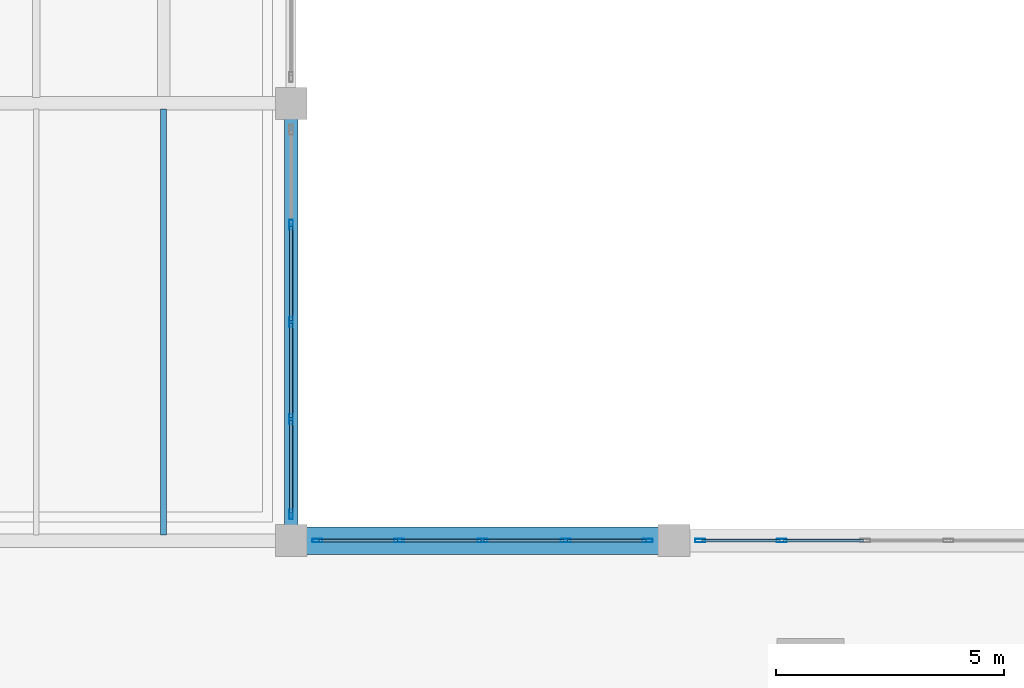
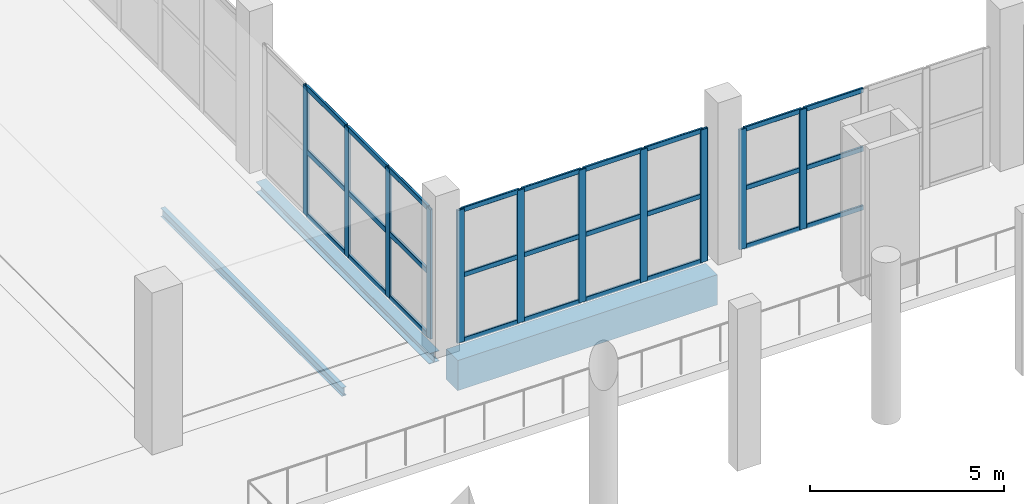
# One storey, part 10 of 66: 38 members, 3 beams, 3 elements without a shape of their own.
"""IFC4 building model written with IfcOpenShell, lengths in metres."""

from ifc_helpers import new_model, si_unit, direction, frame, origin, origin_2d, place, context, subcontext, project, spatial, rectangle, hollow_rectangle, i_section, extrude, material, layer, layer_set, material_profile, profile_set, type_object, element, aggregate, save


model = new_model("IFC4")

# Units and contexts
model_context = context("Model", 3, precision=1e-05, world=origin(), true_north=direction((0.0, 1.0)))
body_context = subcontext(model_context, "Body", "Model", "MODEL_VIEW")
ifc_project = project(units=[si_unit("LENGTHUNIT", "METRE"), si_unit("AREAUNIT", "SQUARE_METRE"), si_unit("VOLUMEUNIT", "CUBIC_METRE"), si_unit("PLANEANGLEUNIT", "RADIAN"), si_unit("MASSUNIT", "GRAM", prefix="KILO")], contexts=[model_context])

# Site, building, storey
site_placement = place(None, origin())
site = spatial("IfcSite", under=ifc_project, at=site_placement, CompositionType="ELEMENT")
building_placement = place(site_placement, origin())
building = spatial("IfcBuilding", under=site, at=building_placement, Name="Zulmaris Art Gallery", CompositionType="ELEMENT")
storey_placement = place(building_placement, frame((0.0, 0.0, 5.39990234375)))
storey = spatial("IfcBuildingStorey", under=building, at=storey_placement, Name="L01", CompositionType="ELEMENT", Elevation=5.39990234375)

# Beams
ifc_material_1 = material(Name="Steel S355J2", Category="steel")
ifc_material_profile_1 = material_profile(ifc_material_1, i_section(OverallWidth=0.300048828125, OverallDepth=0.330078125, WebThickness=0.009521484375, FlangeThickness=0.0166015625, FilletRadius=0.027099609375, at=origin_2d()), Name="HEA 340")
ifc_profile_set_1 = profile_set([ifc_material_profile_1], Name="Steel S355J2")
beam_type_1 = type_object("IfcBeamType", Name="BEAM-BM08", PredefinedType="BEAM", material=ifc_profile_set_1)
beam_1_placement = place(storey_placement, frame((91.199951171875, 21.93505859375, -0.494873046875), z_axis=(0.0, 1.0, 0.0), x_axis=(-1.0, 0.0, 0.0)))
element("IfcBeam", 1, at=beam_1_placement, inside=storey, type_object=beam_type_1, Name="L01 Y-girder (x=91.2, 21.6..31.2)", PredefinedType="BEAM", context=body_context, shape_type="SweptSolid", body=[
    extrude(i_section(OverallWidth=0.300048828125, OverallDepth=0.330078125, WebThickness=0.009521484375, FlangeThickness=0.0166015625, FilletRadius=0.027099609375, at=origin_2d()), origin(), (0.0, 0.0, 1.0), 8.929931640625),
])
ifc_material_2 = material(Name="Concrete C40/50", Category="concrete")
ifc_material_profile_2 = material_profile(ifc_material_2, rectangle(XDim=0.60009765625, YDim=0.949951171875, at=origin_2d()), Name="RC 600x950")
ifc_profile_set_2 = profile_set([ifc_material_profile_2], Name="Concrete C40/50")
beam_type_2 = type_object("IfcBeamType", Name="BEAM-BM22", PredefinedType="BEAM", material=ifc_profile_set_2)
beam_2_placement = place(storey_placement, frame((91.534912109375, 21.60009765625, -0.804931640625), z_axis=(1.0, 0.0, 0.0), x_axis=(0.0, 1.0, 0.0)))
element("IfcBeam", 2, at=beam_2_placement, inside=storey, type_object=beam_type_2, Name="L01 X-girder (91.2..99.6, y=21.6)", PredefinedType="BEAM", context=body_context, shape_type="SweptSolid", body=[
    extrude(rectangle(XDim=0.60009765625, YDim=0.949951171875, at=origin_2d()), origin(), (0.0, 0.0, 1.0), 7.72998046875),
])
ifc_material_profile_3 = material_profile(ifc_material_1, i_section(OverallWidth=0.135009765625, OverallDepth=0.27001953125, WebThickness=0.006591796875, FlangeThickness=0.01025390625, FilletRadius=0.014892578125, at=origin_2d()), Name="IPE 270")
ifc_profile_set_3 = profile_set([ifc_material_profile_3], Name="Steel S355J2")
beam_type_3 = type_object("IfcBeamType", Name="BEAM-JS02", PredefinedType="JOIST", material=ifc_profile_set_3)
beam_3_placement = place(storey_placement, frame((88.39990234375, 21.72509765625, -0.46484375), z_axis=(0.0, 1.0, 0.0), x_axis=(-1.0, 0.0, 0.0)))
element("IfcBeam", 3, at=beam_3_placement, inside=storey, type_object=beam_type_3, Name="L01 secondary joist at x=88.4", PredefinedType="JOIST", context=body_context, shape_type="SweptSolid", body=[
    extrude(i_section(OverallWidth=0.135009765625, OverallDepth=0.27001953125, WebThickness=0.006591796875, FlangeThickness=0.01025390625, FilletRadius=0.014892578125, at=origin_2d()), origin(), (0.0, 0.0, 1.0), 9.349853515625),
])

# Curtain wall, members
ifc_material_3 = material(Name="Cloister & Court Glazed Curtain Wall", Category="aluminium")
ifc_layer = layer(ifc_material_3, 0.179931640625)
ifc_layer_set = layer_set([ifc_layer], Name="Cloister & Court Glazed Curtain Wall")
curtain_wall_type = type_object("IfcCurtainWallType", Name="CW-CW03", PredefinedType="NOTDEFINED", material=ifc_layer_set)
curtain_wall_1_placement = place(storey_placement, origin())
curtain_wall_1 = element("IfcCurtainWall", 4, at=curtain_wall_1_placement, inside=storey, type_object=curtain_wall_type, Name="L01 curtain wall 71", PredefinedType="NOTDEFINED")
ifc_material_4 = material(Name="Anodised Bronze Aluminium", Category="aluminium")
ifc_material_profile_4 = material_profile(ifc_material_4, hollow_rectangle(XDim=0.074951171875, YDim=0.219970703125, WallThickness=0.0048828125, InnerFilletRadius=0.007568359375, OuterFilletRadius=0.012451171875, at=origin_2d()), Name="ALU 75x220x5")
ifc_profile_set_4 = profile_set([ifc_material_profile_4], Name="Anodised Bronze Aluminium")
member_type_1 = type_object("IfcMemberType", Name="CWMUL-02", PredefinedType="MULLION", material=ifc_profile_set_4)
member_1_placement = place(storey_placement, frame((91.199951171875, 28.530029296875, 0.0), z_axis=(0.0, 0.0, 1.0), x_axis=(1.0, 0.0, 0.0)))
member_1 = element("IfcMember", 5, at=member_1_placement, type_object=member_type_1, Name="CW03 mullion 2", PredefinedType="MULLION", context=body_context, shape_type="SweptSolid", body=[
    extrude(hollow_rectangle(XDim=0.074951171875, YDim=0.219970703125, WallThickness=0.0048828125, InnerFilletRadius=0.007568359375, OuterFilletRadius=0.012451171875, at=origin_2d()), origin(), (0.0, 0.0, 1.0), 4.070068359375),
])
member_2_placement = place(storey_placement, frame((91.199951171875, 26.39990234375, 0.0), z_axis=(0.0, 0.0, 1.0), x_axis=(1.0, 0.0, 0.0)))
member_2 = element("IfcMember", 6, at=member_2_placement, type_object=member_type_1, Name="CW03 mullion 3", PredefinedType="MULLION", context=body_context, shape_type="SweptSolid", body=[
    extrude(hollow_rectangle(XDim=0.074951171875, YDim=0.219970703125, WallThickness=0.0048828125, InnerFilletRadius=0.007568359375, OuterFilletRadius=0.012451171875, at=origin_2d()), origin(), (0.0, 0.0, 1.0), 4.070068359375),
])
member_3_placement = place(storey_placement, frame((91.199951171875, 24.27001953125, 0.0), z_axis=(0.0, 0.0, 1.0), x_axis=(1.0, 0.0, 0.0)))
member_3 = element("IfcMember", 7, at=member_3_placement, type_object=member_type_1, Name="CW03 mullion 4", PredefinedType="MULLION", context=body_context, shape_type="SweptSolid", body=[
    extrude(hollow_rectangle(XDim=0.074951171875, YDim=0.219970703125, WallThickness=0.0048828125, InnerFilletRadius=0.007568359375, OuterFilletRadius=0.012451171875, at=origin_2d()), origin(), (0.0, 0.0, 1.0), 4.070068359375),
])
member_4_placement = place(storey_placement, frame((91.199951171875, 22.177490234375, 0.0), z_axis=(0.0, 0.0, 1.0), x_axis=(1.0, 0.0, 0.0)))
member_4 = element("IfcMember", 8, at=member_4_placement, type_object=member_type_1, Name="CW03 mullion 5", PredefinedType="MULLION", context=body_context, shape_type="SweptSolid", body=[
    extrude(hollow_rectangle(XDim=0.074951171875, YDim=0.219970703125, WallThickness=0.0048828125, InnerFilletRadius=0.007568359375, OuterFilletRadius=0.012451171875, at=origin_2d()), origin(), (0.0, 0.0, 1.0), 4.070068359375),
])

curtain_wall_2_placement = place(storey_placement, origin())
curtain_wall_2 = element("IfcCurtainWall", 9, at=curtain_wall_2_placement, inside=storey, type_object=curtain_wall_type, Name="L01 curtain wall 189", PredefinedType="NOTDEFINED")
member_5_placement = place(storey_placement, frame((91.777587890625, 21.60009765625, 0.0), z_axis=(0.0, 0.0, 1.0), x_axis=(0.0, 1.0, 0.0)))
member_5 = element("IfcMember", 10, at=member_5_placement, type_object=member_type_1, Name="CW03 mullion 1", PredefinedType="MULLION", context=body_context, shape_type="SweptSolid", body=[
    extrude(hollow_rectangle(XDim=0.074951171875, YDim=0.219970703125, WallThickness=0.0048828125, InnerFilletRadius=0.007568359375, OuterFilletRadius=0.012451171875, at=origin_2d()), origin(), (0.0, 0.0, 1.0), 4.175048828125),
])
member_6_placement = place(storey_placement, frame((93.570068359375, 21.60009765625, 0.0), z_axis=(0.0, 0.0, 1.0), x_axis=(0.0, 1.0, 0.0)))
member_6 = element("IfcMember", 11, at=member_6_placement, type_object=member_type_1, Name="CW03 mullion 2", PredefinedType="MULLION", context=body_context, shape_type="SweptSolid", body=[
    extrude(hollow_rectangle(XDim=0.074951171875, YDim=0.219970703125, WallThickness=0.0048828125, InnerFilletRadius=0.007568359375, OuterFilletRadius=0.012451171875, at=origin_2d()), origin(), (0.0, 0.0, 1.0), 4.175048828125),
])
member_7_placement = place(storey_placement, frame((95.39990234375, 21.60009765625, 0.0), z_axis=(0.0, 0.0, 1.0), x_axis=(0.0, 1.0, 0.0)))
member_7 = element("IfcMember", 12, at=member_7_placement, type_object=member_type_1, Name="CW03 mullion 3", PredefinedType="MULLION", context=body_context, shape_type="SweptSolid", body=[
    extrude(hollow_rectangle(XDim=0.074951171875, YDim=0.219970703125, WallThickness=0.0048828125, InnerFilletRadius=0.007568359375, OuterFilletRadius=0.012451171875, at=origin_2d()), origin(), (0.0, 0.0, 1.0), 4.175048828125),
])
member_8_placement = place(storey_placement, frame((97.22998046875, 21.60009765625, 0.0), z_axis=(0.0, 0.0, 1.0), x_axis=(0.0, 1.0, 0.0)))
member_8 = element("IfcMember", 13, at=member_8_placement, type_object=member_type_1, Name="CW03 mullion 4", PredefinedType="MULLION", context=body_context, shape_type="SweptSolid", body=[
    extrude(hollow_rectangle(XDim=0.074951171875, YDim=0.219970703125, WallThickness=0.0048828125, InnerFilletRadius=0.007568359375, OuterFilletRadius=0.012451171875, at=origin_2d()), origin(), (0.0, 0.0, 1.0), 4.175048828125),
])
member_9_placement = place(storey_placement, frame((99.0224609375, 21.60009765625, 0.0), z_axis=(0.0, 0.0, 1.0), x_axis=(0.0, 1.0, 0.0)))
member_9 = element("IfcMember", 14, at=member_9_placement, type_object=member_type_1, Name="CW03 mullion 5", PredefinedType="MULLION", context=body_context, shape_type="SweptSolid", body=[
    extrude(hollow_rectangle(XDim=0.074951171875, YDim=0.219970703125, WallThickness=0.0048828125, InnerFilletRadius=0.007568359375, OuterFilletRadius=0.012451171875, at=origin_2d()), origin(), (0.0, 0.0, 1.0), 4.175048828125),
])

curtain_wall_3_placement = place(storey_placement, origin())
curtain_wall_3 = element("IfcCurtainWall", 15, at=curtain_wall_3_placement, inside=storey, type_object=curtain_wall_type, Name="L01 curtain wall 190", PredefinedType="NOTDEFINED")
member_10_placement = place(storey_placement, frame((100.177490234375, 21.60009765625, 0.0), z_axis=(0.0, 0.0, 1.0), x_axis=(0.0, 1.0, 0.0)))
member_10 = element("IfcMember", 16, at=member_10_placement, type_object=member_type_1, Name="CW03 mullion 1", PredefinedType="MULLION", context=body_context, shape_type="SweptSolid", body=[
    extrude(hollow_rectangle(XDim=0.074951171875, YDim=0.219970703125, WallThickness=0.0048828125, InnerFilletRadius=0.007568359375, OuterFilletRadius=0.012451171875, at=origin_2d()), origin(), (0.0, 0.0, 1.0), 3.77001953125),
])
member_11_placement = place(storey_placement, frame((101.969970703125, 21.60009765625, 0.0), z_axis=(0.0, 0.0, 1.0), x_axis=(0.0, 1.0, 0.0)))
member_11 = element("IfcMember", 17, at=member_11_placement, type_object=member_type_1, Name="CW03 mullion 2", PredefinedType="MULLION", context=body_context, shape_type="SweptSolid", body=[
    extrude(hollow_rectangle(XDim=0.074951171875, YDim=0.219970703125, WallThickness=0.0048828125, InnerFilletRadius=0.007568359375, OuterFilletRadius=0.012451171875, at=origin_2d()), origin(), (0.0, 0.0, 1.0), 3.77001953125),
])

# Member
ifc_material_profile_5 = material_profile(ifc_material_4, hollow_rectangle(XDim=0.06494140625, YDim=0.14990234375, WallThickness=0.00390625, InnerFilletRadius=0.006103515625, OuterFilletRadius=0.010009765625, at=origin_2d()), Name="ALU 65x150x4")
ifc_profile_set_5 = profile_set([ifc_material_profile_5], Name="Anodised Bronze Aluminium")
member_type_2 = type_object("IfcMemberType", Name="CWTRN-01", PredefinedType="USERDEFINED", material=ifc_profile_set_5)
member_12_placement = place(storey_placement, frame((91.81494140625, 21.60009765625, 0.03759765625), z_axis=(1.0, 0.0, 0.0), x_axis=(0.0, 1.0, 0.0)))
member_12 = element("IfcMember", 18, at=member_12_placement, type_object=member_type_2, Name="CW03 transom 1.1", ObjectType="TRANSOM", PredefinedType="USERDEFINED", context=body_context, shape_type="SweptSolid", body=[
    extrude(hollow_rectangle(XDim=0.06494140625, YDim=0.14990234375, WallThickness=0.00390625, InnerFilletRadius=0.006103515625, OuterFilletRadius=0.010009765625, at=origin_2d()), origin(), (0.0, 0.0, 1.0), 1.717529296875),
])

member_13_placement = place(storey_placement, frame((91.81494140625, 21.60009765625, 2.087646484375), z_axis=(1.0, 0.0, 0.0), x_axis=(0.0, 1.0, 0.0)))
member_13 = element("IfcMember", 19, at=member_13_placement, type_object=member_type_2, Name="CW03 transom 1.2", ObjectType="TRANSOM", PredefinedType="USERDEFINED", context=body_context, shape_type="SweptSolid", body=[
    extrude(hollow_rectangle(XDim=0.06494140625, YDim=0.14990234375, WallThickness=0.00390625, InnerFilletRadius=0.006103515625, OuterFilletRadius=0.010009765625, at=origin_2d()), origin(), (0.0, 0.0, 1.0), 1.717529296875),
])

member_14_placement = place(storey_placement, frame((91.81494140625, 21.60009765625, 4.1376953125), z_axis=(1.0, 0.0, 0.0), x_axis=(0.0, 1.0, 0.0)))
member_14 = element("IfcMember", 20, at=member_14_placement, type_object=member_type_2, Name="CW03 transom 1.3", ObjectType="TRANSOM", PredefinedType="USERDEFINED", context=body_context, shape_type="SweptSolid", body=[
    extrude(hollow_rectangle(XDim=0.06494140625, YDim=0.14990234375, WallThickness=0.00390625, InnerFilletRadius=0.006103515625, OuterFilletRadius=0.010009765625, at=origin_2d()), origin(), (0.0, 0.0, 1.0), 1.717529296875),
])

member_15_placement = place(storey_placement, frame((93.607421875, 21.60009765625, 0.03759765625), z_axis=(1.0, 0.0, 0.0), x_axis=(0.0, 1.0, 0.0)))
member_15 = element("IfcMember", 21, at=member_15_placement, type_object=member_type_2, Name="CW03 transom 2.1", ObjectType="TRANSOM", PredefinedType="USERDEFINED", context=body_context, shape_type="SweptSolid", body=[
    extrude(hollow_rectangle(XDim=0.06494140625, YDim=0.14990234375, WallThickness=0.00390625, InnerFilletRadius=0.006103515625, OuterFilletRadius=0.010009765625, at=origin_2d()), origin(), (0.0, 0.0, 1.0), 1.755126953125),
])

member_16_placement = place(storey_placement, frame((93.607421875, 21.60009765625, 2.087646484375), z_axis=(1.0, 0.0, 0.0), x_axis=(0.0, 1.0, 0.0)))
member_16 = element("IfcMember", 22, at=member_16_placement, type_object=member_type_2, Name="CW03 transom 2.2", ObjectType="TRANSOM", PredefinedType="USERDEFINED", context=body_context, shape_type="SweptSolid", body=[
    extrude(hollow_rectangle(XDim=0.06494140625, YDim=0.14990234375, WallThickness=0.00390625, InnerFilletRadius=0.006103515625, OuterFilletRadius=0.010009765625, at=origin_2d()), origin(), (0.0, 0.0, 1.0), 1.755126953125),
])

member_17_placement = place(storey_placement, frame((93.607421875, 21.60009765625, 4.1376953125), z_axis=(1.0, 0.0, 0.0), x_axis=(0.0, 1.0, 0.0)))
member_17 = element("IfcMember", 23, at=member_17_placement, type_object=member_type_2, Name="CW03 transom 2.3", ObjectType="TRANSOM", PredefinedType="USERDEFINED", context=body_context, shape_type="SweptSolid", body=[
    extrude(hollow_rectangle(XDim=0.06494140625, YDim=0.14990234375, WallThickness=0.00390625, InnerFilletRadius=0.006103515625, OuterFilletRadius=0.010009765625, at=origin_2d()), origin(), (0.0, 0.0, 1.0), 1.755126953125),
])

member_18_placement = place(storey_placement, frame((95.4375, 21.60009765625, 0.03759765625), z_axis=(1.0, 0.0, 0.0), x_axis=(0.0, 1.0, 0.0)))
member_18 = element("IfcMember", 24, at=member_18_placement, type_object=member_type_2, Name="CW03 transom 3.1", ObjectType="TRANSOM", PredefinedType="USERDEFINED", context=body_context, shape_type="SweptSolid", body=[
    extrude(hollow_rectangle(XDim=0.06494140625, YDim=0.14990234375, WallThickness=0.00390625, InnerFilletRadius=0.006103515625, OuterFilletRadius=0.010009765625, at=origin_2d()), origin(), (0.0, 0.0, 1.0), 1.7548828125),
])

member_19_placement = place(storey_placement, frame((95.4375, 21.60009765625, 2.087646484375), z_axis=(1.0, 0.0, 0.0), x_axis=(0.0, 1.0, 0.0)))
member_19 = element("IfcMember", 25, at=member_19_placement, type_object=member_type_2, Name="CW03 transom 3.2", ObjectType="TRANSOM", PredefinedType="USERDEFINED", context=body_context, shape_type="SweptSolid", body=[
    extrude(hollow_rectangle(XDim=0.06494140625, YDim=0.14990234375, WallThickness=0.00390625, InnerFilletRadius=0.006103515625, OuterFilletRadius=0.010009765625, at=origin_2d()), origin(), (0.0, 0.0, 1.0), 1.7548828125),
])

member_20_placement = place(storey_placement, frame((95.4375, 21.60009765625, 4.1376953125), z_axis=(1.0, 0.0, 0.0), x_axis=(0.0, 1.0, 0.0)))
member_20 = element("IfcMember", 26, at=member_20_placement, type_object=member_type_2, Name="CW03 transom 3.3", ObjectType="TRANSOM", PredefinedType="USERDEFINED", context=body_context, shape_type="SweptSolid", body=[
    extrude(hollow_rectangle(XDim=0.06494140625, YDim=0.14990234375, WallThickness=0.00390625, InnerFilletRadius=0.006103515625, OuterFilletRadius=0.010009765625, at=origin_2d()), origin(), (0.0, 0.0, 1.0), 1.7548828125),
])

member_21_placement = place(storey_placement, frame((97.267578125, 21.60009765625, 0.03759765625), z_axis=(1.0, 0.0, 0.0), x_axis=(0.0, 1.0, 0.0)))
member_21 = element("IfcMember", 27, at=member_21_placement, type_object=member_type_2, Name="CW03 transom 4.1", ObjectType="TRANSOM", PredefinedType="USERDEFINED", context=body_context, shape_type="SweptSolid", body=[
    extrude(hollow_rectangle(XDim=0.06494140625, YDim=0.14990234375, WallThickness=0.00390625, InnerFilletRadius=0.006103515625, OuterFilletRadius=0.010009765625, at=origin_2d()), origin(), (0.0, 0.0, 1.0), 1.717529296875),
])

member_22_placement = place(storey_placement, frame((97.267578125, 21.60009765625, 2.087646484375), z_axis=(1.0, 0.0, 0.0), x_axis=(0.0, 1.0, 0.0)))
member_22 = element("IfcMember", 28, at=member_22_placement, type_object=member_type_2, Name="CW03 transom 4.2", ObjectType="TRANSOM", PredefinedType="USERDEFINED", context=body_context, shape_type="SweptSolid", body=[
    extrude(hollow_rectangle(XDim=0.06494140625, YDim=0.14990234375, WallThickness=0.00390625, InnerFilletRadius=0.006103515625, OuterFilletRadius=0.010009765625, at=origin_2d()), origin(), (0.0, 0.0, 1.0), 1.717529296875),
])

member_23_placement = place(storey_placement, frame((97.267578125, 21.60009765625, 4.1376953125), z_axis=(1.0, 0.0, 0.0), x_axis=(0.0, 1.0, 0.0)))
member_23 = element("IfcMember", 29, at=member_23_placement, type_object=member_type_2, Name="CW03 transom 4.3", ObjectType="TRANSOM", PredefinedType="USERDEFINED", context=body_context, shape_type="SweptSolid", body=[
    extrude(hollow_rectangle(XDim=0.06494140625, YDim=0.14990234375, WallThickness=0.00390625, InnerFilletRadius=0.006103515625, OuterFilletRadius=0.010009765625, at=origin_2d()), origin(), (0.0, 0.0, 1.0), 1.717529296875),
])

aggregate(curtain_wall_2, [member_5, member_6, member_7, member_8, member_9, member_12, member_13, member_14, member_15, member_16, member_17, member_18, member_19, member_20, member_21, member_22, member_23])

member_24_placement = place(storey_placement, frame((100.215087890625, 21.60009765625, 0.03759765625), z_axis=(1.0, 0.0, 0.0), x_axis=(0.0, 1.0, 0.0)))
member_24 = element("IfcMember", 30, at=member_24_placement, type_object=member_type_2, Name="CW03 transom 1.1", ObjectType="TRANSOM", PredefinedType="USERDEFINED", context=body_context, shape_type="SweptSolid", body=[
    extrude(hollow_rectangle(XDim=0.06494140625, YDim=0.14990234375, WallThickness=0.00390625, InnerFilletRadius=0.006103515625, OuterFilletRadius=0.010009765625, at=origin_2d()), origin(), (0.0, 0.0, 1.0), 1.717529296875),
])

member_25_placement = place(storey_placement, frame((100.215087890625, 21.60009765625, 1.885009765625), z_axis=(1.0, 0.0, 0.0), x_axis=(0.0, 1.0, 0.0)))
member_25 = element("IfcMember", 31, at=member_25_placement, type_object=member_type_2, Name="CW03 transom 1.2", ObjectType="TRANSOM", PredefinedType="USERDEFINED", context=body_context, shape_type="SweptSolid", body=[
    extrude(hollow_rectangle(XDim=0.06494140625, YDim=0.14990234375, WallThickness=0.00390625, InnerFilletRadius=0.006103515625, OuterFilletRadius=0.010009765625, at=origin_2d()), origin(), (0.0, 0.0, 1.0), 1.717529296875),
])

member_26_placement = place(storey_placement, frame((100.215087890625, 21.60009765625, 3.732666015625), z_axis=(1.0, 0.0, 0.0), x_axis=(0.0, 1.0, 0.0)))
member_26 = element("IfcMember", 32, at=member_26_placement, type_object=member_type_2, Name="CW03 transom 1.3", ObjectType="TRANSOM", PredefinedType="USERDEFINED", context=body_context, shape_type="SweptSolid", body=[
    extrude(hollow_rectangle(XDim=0.06494140625, YDim=0.14990234375, WallThickness=0.00390625, InnerFilletRadius=0.006103515625, OuterFilletRadius=0.010009765625, at=origin_2d()), origin(), (0.0, 0.0, 1.0), 1.717529296875),
])

member_27_placement = place(storey_placement, frame((102.007568359375, 21.60009765625, 0.03759765625), z_axis=(1.0, 0.0, 0.0), x_axis=(0.0, 1.0, 0.0)))
member_27 = element("IfcMember", 33, at=member_27_placement, type_object=member_type_2, Name="CW03 transom 2.1", ObjectType="TRANSOM", PredefinedType="USERDEFINED", context=body_context, shape_type="SweptSolid", body=[
    extrude(hollow_rectangle(XDim=0.06494140625, YDim=0.14990234375, WallThickness=0.00390625, InnerFilletRadius=0.006103515625, OuterFilletRadius=0.010009765625, at=origin_2d()), origin(), (0.0, 0.0, 1.0), 1.7548828125),
])

member_28_placement = place(storey_placement, frame((102.007568359375, 21.60009765625, 1.885009765625), z_axis=(1.0, 0.0, 0.0), x_axis=(0.0, 1.0, 0.0)))
member_28 = element("IfcMember", 34, at=member_28_placement, type_object=member_type_2, Name="CW03 transom 2.2", ObjectType="TRANSOM", PredefinedType="USERDEFINED", context=body_context, shape_type="SweptSolid", body=[
    extrude(hollow_rectangle(XDim=0.06494140625, YDim=0.14990234375, WallThickness=0.00390625, InnerFilletRadius=0.006103515625, OuterFilletRadius=0.010009765625, at=origin_2d()), origin(), (0.0, 0.0, 1.0), 1.7548828125),
])

member_29_placement = place(storey_placement, frame((102.007568359375, 21.60009765625, 3.732666015625), z_axis=(1.0, 0.0, 0.0), x_axis=(0.0, 1.0, 0.0)))
member_29 = element("IfcMember", 35, at=member_29_placement, type_object=member_type_2, Name="CW03 transom 2.3", ObjectType="TRANSOM", PredefinedType="USERDEFINED", context=body_context, shape_type="SweptSolid", body=[
    extrude(hollow_rectangle(XDim=0.06494140625, YDim=0.14990234375, WallThickness=0.00390625, InnerFilletRadius=0.006103515625, OuterFilletRadius=0.010009765625, at=origin_2d()), origin(), (0.0, 0.0, 1.0), 1.7548828125),
])

aggregate(curtain_wall_3, [member_10, member_11, member_24, member_25, member_26, member_27, member_28, member_29])

ifc_material_profile_6 = material_profile(ifc_material_4, hollow_rectangle(XDim=0.074951171875, YDim=0.159912109375, WallThickness=0.00390625, InnerFilletRadius=0.006103515625, OuterFilletRadius=0.010009765625, at=origin_2d()), Name="ALU 75x160x4")
ifc_profile_set_6 = profile_set([ifc_material_profile_6], Name="Anodised Bronze Aluminium")
member_type_3 = type_object("IfcMemberType", Name="CWTRN-02", PredefinedType="USERDEFINED", material=ifc_profile_set_6)
member_30_placement = place(storey_placement, frame((91.199951171875, 28.492431640625, 0.03759765625), z_axis=(0.0, -1.0, 0.0), x_axis=(1.0, 0.0, 0.0)))
member_30 = element("IfcMember", 36, at=member_30_placement, type_object=member_type_3, Name="CW03 transom 2.1", ObjectType="TRANSOM", PredefinedType="USERDEFINED", context=body_context, shape_type="SweptSolid", body=[
    extrude(hollow_rectangle(XDim=0.074951171875, YDim=0.159912109375, WallThickness=0.00390625, InnerFilletRadius=0.006103515625, OuterFilletRadius=0.010009765625, at=origin_2d()), origin(), (0.0, 0.0, 1.0), 2.054931640625),
])

member_31_placement = place(storey_placement, frame((91.199951171875, 28.492431640625, 2.03515625), z_axis=(0.0, -1.0, 0.0), x_axis=(1.0, 0.0, 0.0)))
member_31 = element("IfcMember", 37, at=member_31_placement, type_object=member_type_3, Name="CW03 transom 2.2", ObjectType="TRANSOM", PredefinedType="USERDEFINED", context=body_context, shape_type="SweptSolid", body=[
    extrude(hollow_rectangle(XDim=0.074951171875, YDim=0.159912109375, WallThickness=0.00390625, InnerFilletRadius=0.006103515625, OuterFilletRadius=0.010009765625, at=origin_2d()), origin(), (0.0, 0.0, 1.0), 2.054931640625),
])

member_32_placement = place(storey_placement, frame((91.199951171875, 28.492431640625, 4.03271484375), z_axis=(0.0, -1.0, 0.0), x_axis=(1.0, 0.0, 0.0)))
member_32 = element("IfcMember", 38, at=member_32_placement, type_object=member_type_3, Name="CW03 transom 2.3", ObjectType="TRANSOM", PredefinedType="USERDEFINED", context=body_context, shape_type="SweptSolid", body=[
    extrude(hollow_rectangle(XDim=0.074951171875, YDim=0.159912109375, WallThickness=0.00390625, InnerFilletRadius=0.006103515625, OuterFilletRadius=0.010009765625, at=origin_2d()), origin(), (0.0, 0.0, 1.0), 2.054931640625),
])

member_33_placement = place(storey_placement, frame((91.199951171875, 26.362548828125, 0.03759765625), z_axis=(0.0, -1.0, 0.0), x_axis=(1.0, 0.0, 0.0)))
member_33 = element("IfcMember", 39, at=member_33_placement, type_object=member_type_3, Name="CW03 transom 3.1", ObjectType="TRANSOM", PredefinedType="USERDEFINED", context=body_context, shape_type="SweptSolid", body=[
    extrude(hollow_rectangle(XDim=0.074951171875, YDim=0.159912109375, WallThickness=0.00390625, InnerFilletRadius=0.006103515625, OuterFilletRadius=0.010009765625, at=origin_2d()), origin(), (0.0, 0.0, 1.0), 2.054931640625),
])

member_34_placement = place(storey_placement, frame((91.199951171875, 26.362548828125, 2.03515625), z_axis=(0.0, -1.0, 0.0), x_axis=(1.0, 0.0, 0.0)))
member_34 = element("IfcMember", 40, at=member_34_placement, type_object=member_type_3, Name="CW03 transom 3.2", ObjectType="TRANSOM", PredefinedType="USERDEFINED", context=body_context, shape_type="SweptSolid", body=[
    extrude(hollow_rectangle(XDim=0.074951171875, YDim=0.159912109375, WallThickness=0.00390625, InnerFilletRadius=0.006103515625, OuterFilletRadius=0.010009765625, at=origin_2d()), origin(), (0.0, 0.0, 1.0), 2.054931640625),
])

member_35_placement = place(storey_placement, frame((91.199951171875, 26.362548828125, 4.03271484375), z_axis=(0.0, -1.0, 0.0), x_axis=(1.0, 0.0, 0.0)))
member_35 = element("IfcMember", 41, at=member_35_placement, type_object=member_type_3, Name="CW03 transom 3.3", ObjectType="TRANSOM", PredefinedType="USERDEFINED", context=body_context, shape_type="SweptSolid", body=[
    extrude(hollow_rectangle(XDim=0.074951171875, YDim=0.159912109375, WallThickness=0.00390625, InnerFilletRadius=0.006103515625, OuterFilletRadius=0.010009765625, at=origin_2d()), origin(), (0.0, 0.0, 1.0), 2.054931640625),
])

member_36_placement = place(storey_placement, frame((91.199951171875, 24.232421875, 0.03759765625), z_axis=(0.0, -1.0, 0.0), x_axis=(1.0, 0.0, 0.0)))
member_36 = element("IfcMember", 42, at=member_36_placement, type_object=member_type_3, Name="CW03 transom 4.1", ObjectType="TRANSOM", PredefinedType="USERDEFINED", context=body_context, shape_type="SweptSolid", body=[
    extrude(hollow_rectangle(XDim=0.074951171875, YDim=0.159912109375, WallThickness=0.00390625, InnerFilletRadius=0.006103515625, OuterFilletRadius=0.010009765625, at=origin_2d()), origin(), (0.0, 0.0, 1.0), 2.017333984375),
])

member_37_placement = place(storey_placement, frame((91.199951171875, 24.232421875, 2.03515625), z_axis=(0.0, -1.0, 0.0), x_axis=(1.0, 0.0, 0.0)))
member_37 = element("IfcMember", 43, at=member_37_placement, type_object=member_type_3, Name="CW03 transom 4.2", ObjectType="TRANSOM", PredefinedType="USERDEFINED", context=body_context, shape_type="SweptSolid", body=[
    extrude(hollow_rectangle(XDim=0.074951171875, YDim=0.159912109375, WallThickness=0.00390625, InnerFilletRadius=0.006103515625, OuterFilletRadius=0.010009765625, at=origin_2d()), origin(), (0.0, 0.0, 1.0), 2.017333984375),
])

member_38_placement = place(storey_placement, frame((91.199951171875, 24.232421875, 4.03271484375), z_axis=(0.0, -1.0, 0.0), x_axis=(1.0, 0.0, 0.0)))
member_38 = element("IfcMember", 44, at=member_38_placement, type_object=member_type_3, Name="CW03 transom 4.3", ObjectType="TRANSOM", PredefinedType="USERDEFINED", context=body_context, shape_type="SweptSolid", body=[
    extrude(hollow_rectangle(XDim=0.074951171875, YDim=0.159912109375, WallThickness=0.00390625, InnerFilletRadius=0.006103515625, OuterFilletRadius=0.010009765625, at=origin_2d()), origin(), (0.0, 0.0, 1.0), 2.017333984375),
])

aggregate(curtain_wall_1, [member_1, member_2, member_3, member_4, member_30, member_31, member_32, member_33, member_34, member_35, member_36, member_37, member_38])

save(model, "model.ifc")
